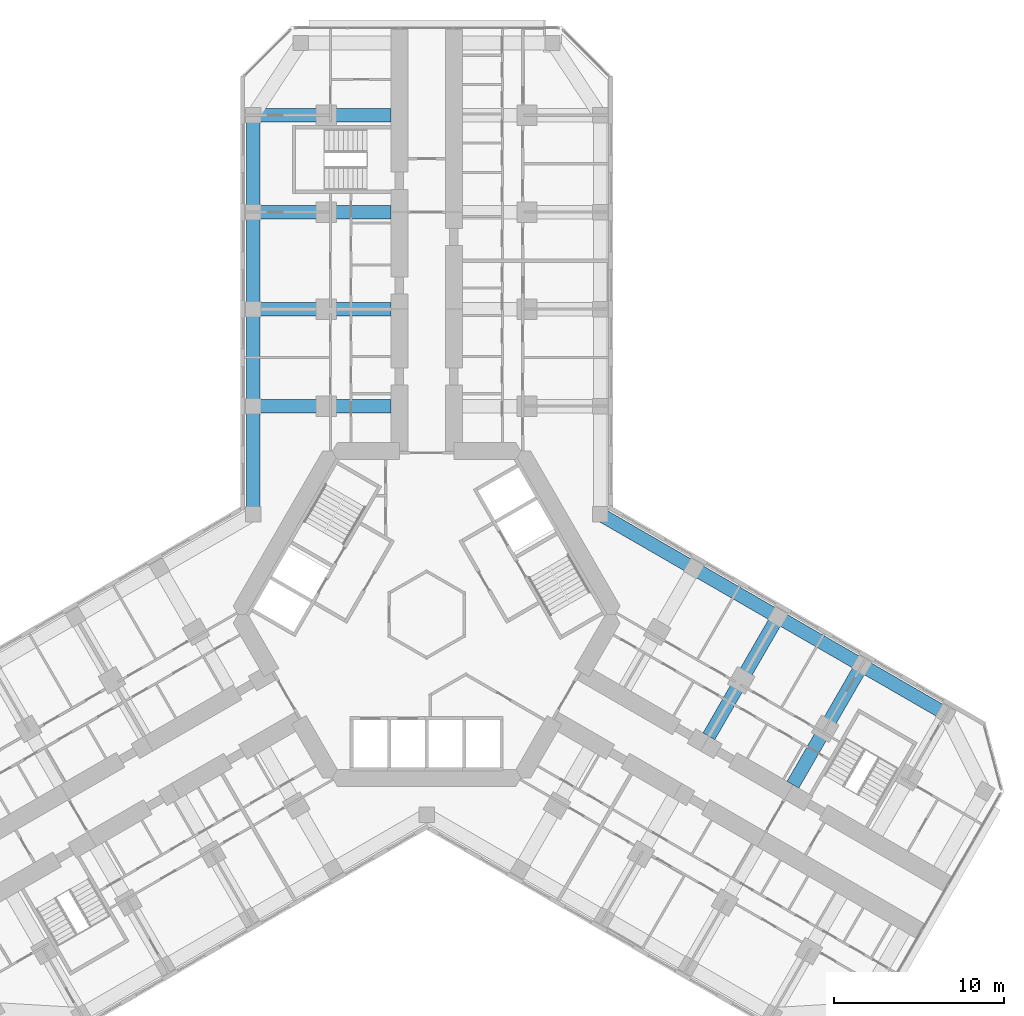
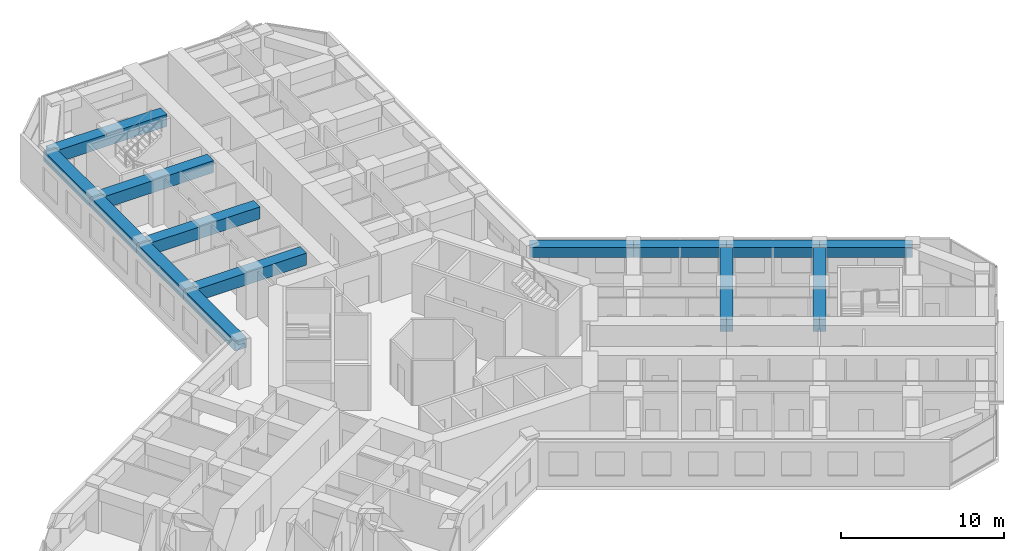
# One storey, part 6 of 21: 14 beams.
"""IFC4 building model written with IfcOpenShell, lengths in metres."""

from ifc_helpers import new_model, si_unit, direction, frame, origin, origin_2d, place, context, subcontext, project, spatial, rectangle, extrude, material, material_profile, profile_set, type_object, element, save


model = new_model("IFC4")

# Units and contexts
model_context = context("Model", 3, precision=1e-05, world=origin(), true_north=direction((0.0, 1.0)))
body_context = subcontext(model_context, "Body", "Model", "MODEL_VIEW")
ifc_project = project(units=[si_unit("LENGTHUNIT", "METRE"), si_unit("AREAUNIT", "SQUARE_METRE"), si_unit("VOLUMEUNIT", "CUBIC_METRE"), si_unit("PLANEANGLEUNIT", "RADIAN"), si_unit("MASSUNIT", "GRAM", prefix="KILO")], contexts=[model_context])

# Site, building, storey
site_placement = place(None, origin())
site = spatial("IfcSite", under=ifc_project, at=site_placement, CompositionType="ELEMENT")
building_placement = place(site_placement, origin())
building = spatial("IfcBuilding", under=site, at=building_placement, Name="Kosmar Iwan School Tower", CompositionType="ELEMENT")
storey_placement = place(building_placement, frame((0.0, 0.0, 88.0)))
storey = spatial("IfcBuildingStorey", under=building, at=storey_placement, Name="L21", CompositionType="ELEMENT", Elevation=88.0)

# Beams
ifc_material_1 = material(Name="Concrete C50/60", Category="concrete")
ifc_material_profile_1 = material_profile(ifc_material_1, rectangle(XDim=0.800048828125, YDim=0.75, at=origin_2d()), Name="RC 800x750")
ifc_profile_set_1 = profile_set([ifc_material_profile_1], Name="Concrete C50/60")
beam_type_1 = type_object("IfcBeamType", Name="RC edge beam 800x750", PredefinedType="BEAM", material=ifc_profile_set_1)
beam_1_placement = place(storey_placement, frame((-10.199951171875, 5.888916015625, 2.97509765625), z_axis=(0.0, 1.0, 0.0), x_axis=(-1.0, 0.0, 0.0)))
element("IfcBeam", 1, at=beam_1_placement, inside=storey, type_object=beam_type_1, Name="Edge beam AL1", PredefinedType="BEAM", context=body_context, shape_type="SweptSolid", body=[
    extrude(rectangle(XDim=0.800048828125, YDim=0.75, at=origin_2d()), origin(), (0.0, 0.0, 1.0), 6.361083984375),
])
for number, where, z_axis, x_axis, name in (
    (2, (-10.199951171875, 12.25, 2.97509765625), (0.0, 1.0, 0.0), (-1.0, 0.0, 0.0), "Edge beam AL2"),
    (3, (-10.199951171875, 17.949951171875, 2.97509765625), (0.0, 1.0, 0.0), (-1.0, 0.0, 0.0), "Edge beam AL3"),
):
    element("IfcBeam", number, at=place(storey_placement, frame(where, z_axis=z_axis, x_axis=x_axis)), inside=storey, type_object=beam_type_1, Name=name, PredefinedType="BEAM", context=body_context, shape_type="SweptSolid", body=[
        extrude(rectangle(XDim=0.800048828125, YDim=0.75, at=origin_2d()), origin(), (0.0, 0.0, 1.0), 5.699951171875),
    ])
beam_2_placement = place(storey_placement, frame((-10.199951171875, 23.64990234375, 2.97509765625), z_axis=(0.0, 1.0, 0.0), x_axis=(-1.0, 0.0, 0.0)))
element("IfcBeam", 4, at=beam_2_placement, inside=storey, type_object=beam_type_1, Name="Edge beam AL4", PredefinedType="BEAM", context=body_context, shape_type="SweptSolid", body=[
    extrude(rectangle(XDim=0.800048828125, YDim=0.75, at=origin_2d()), origin(), (0.0, 0.0, 1.0), 5.7001953125),
])
beam_3_placement = place(storey_placement, frame((10.199951171875, 5.888916015625, 2.97509765625), z_axis=(0.866030912664, -0.49999045822, 0.0), x_axis=(0.49999045822, 0.866030912664, 0.0)))
element("IfcBeam", 5, at=beam_3_placement, inside=storey, type_object=beam_type_1, Name="Edge beam CL1", PredefinedType="BEAM", context=body_context, shape_type="SweptSolid", body=[
    extrude(rectangle(XDim=0.800048828125, YDim=0.75, at=origin_2d()), origin(), (0.0, 0.0, 1.0), 6.36083984375),
])
beam_4_placement = place(storey_placement, frame((15.708740234375, 2.70849609375, 2.97509765625), z_axis=(0.866025820012, -0.499999279071, 0.0), x_axis=(0.499999279071, 0.866025820012, 0.0)))
element("IfcBeam", 6, at=beam_4_placement, inside=storey, type_object=beam_type_1, Name="Edge beam CL2", PredefinedType="BEAM", context=body_context, shape_type="SweptSolid", body=[
    extrude(rectangle(XDim=0.800048828125, YDim=0.75, at=origin_2d()), origin(), (0.0, 0.0, 1.0), 5.7001953125),
])
for number, where, z_axis, x_axis, name in (
    (7, (20.645263671875, -0.1416015625, 2.97509765625), (0.866033658841, -0.49998570155, 0.0), (0.49998570155, 0.866033658841, 0.0), "Edge beam CL3"),
    (8, (25.58154296875, -2.991455078125, 2.97509765625), (0.866015111908, -0.50001782563, 0.0), (0.50001782563, 0.866015111908, 0.0), "Edge beam CL4"),
):
    element("IfcBeam", number, at=place(storey_placement, frame(where, z_axis=z_axis, x_axis=x_axis)), inside=storey, type_object=beam_type_1, Name=name, PredefinedType="BEAM", context=body_context, shape_type="SweptSolid", body=[
        extrude(rectangle(XDim=0.800048828125, YDim=0.75, at=origin_2d()), origin(), (0.0, 0.0, 1.0), 5.699951171875),
    ])
ifc_material_2 = material(Name="Concrete C50/60", Category="concrete")
ifc_material_profile_2 = material_profile(ifc_material_2, rectangle(XDim=0.800048828125, YDim=0.89990234375, at=origin_2d()), Name="RC 800x900")
ifc_profile_set_2 = profile_set([ifc_material_profile_2], Name="Concrete C50/60")
beam_type_2 = type_object("IfcBeamType", Name="RC transverse beam 800x900", PredefinedType="BEAM", material=ifc_profile_set_2)
for number, where, z_axis, x_axis, name in (
    (9, (-10.199951171875, 12.25, 2.89990234375), (1.0, 0.0, 0.0), (0.0, 1.0, 0.0), "Transverse beam AL1"),
    (10, (-10.199951171875, 17.949951171875, 2.89990234375), (1.0, 0.0, 0.0), (0.0, 1.0, 0.0), "Transverse beam AL2"),
    (11, (-10.199951171875, 23.64990234375, 2.89990234375), (1.0, 0.0, 0.0), (0.0, 1.0, 0.0), "Transverse beam AL3"),
    (12, (-10.199951171875, 29.35009765625, 2.89990234375), (1.0, 0.0, 0.0), (0.0, 1.0, 0.0), "Transverse beam AL4"),
    (13, (20.645263671875, -0.1416015625, 2.89990234375), (-0.500012932018, -0.866017937352, 0.0), (0.866017937352, -0.500012932018, 0.0), "Transverse beam CL2"),
):
    element("IfcBeam", number, at=place(storey_placement, frame(where, z_axis=z_axis, x_axis=x_axis)), inside=storey, type_object=beam_type_2, Name=name, PredefinedType="BEAM", context=body_context, shape_type="SweptSolid", body=[
        extrude(rectangle(XDim=0.800048828125, YDim=0.89990234375, at=origin_2d()), origin(), (0.0, 0.0, 1.0), 8.099853515625),
    ])
beam_5_placement = place(storey_placement, frame((25.58154296875, -2.991455078125, 2.89990234375), z_axis=(-0.499999880539, -0.866025472755, 0.0), x_axis=(0.866025472755, -0.499999880539, 0.0)))
element("IfcBeam", 14, at=beam_5_placement, inside=storey, type_object=beam_type_2, Name="Transverse beam CL3", PredefinedType="BEAM", context=body_context, shape_type="SweptSolid", body=[
    extrude(rectangle(XDim=0.800048828125, YDim=0.89990234375, at=origin_2d()), origin(), (0.0, 0.0, 1.0), 8.10009765625),
])

save(model, "model.ifc")
